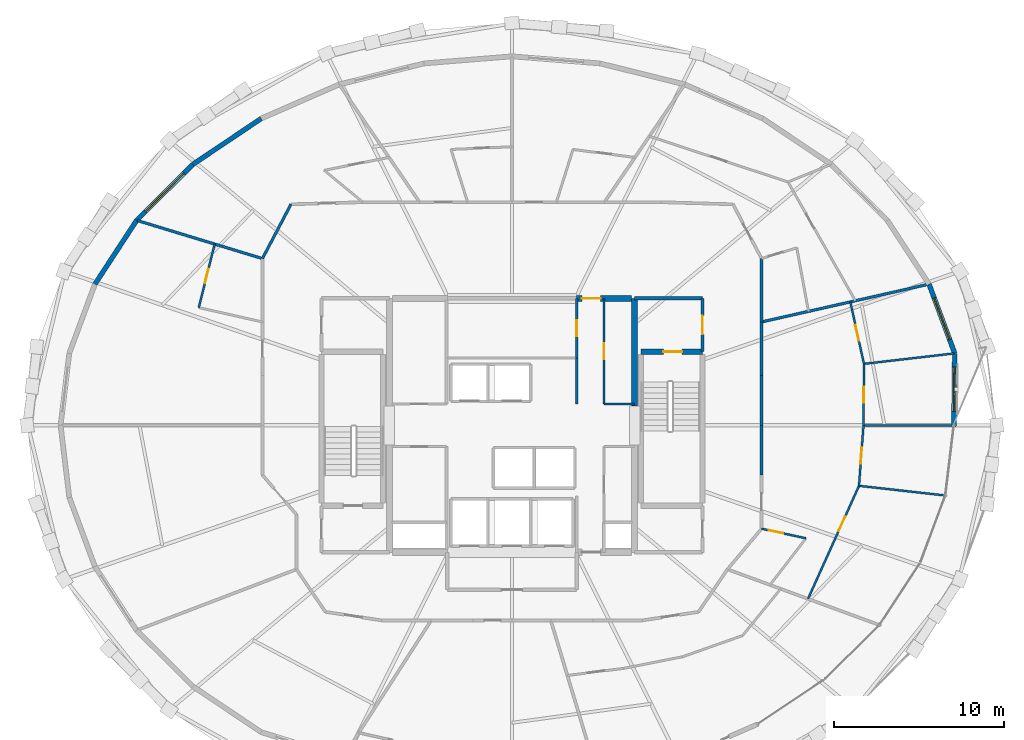
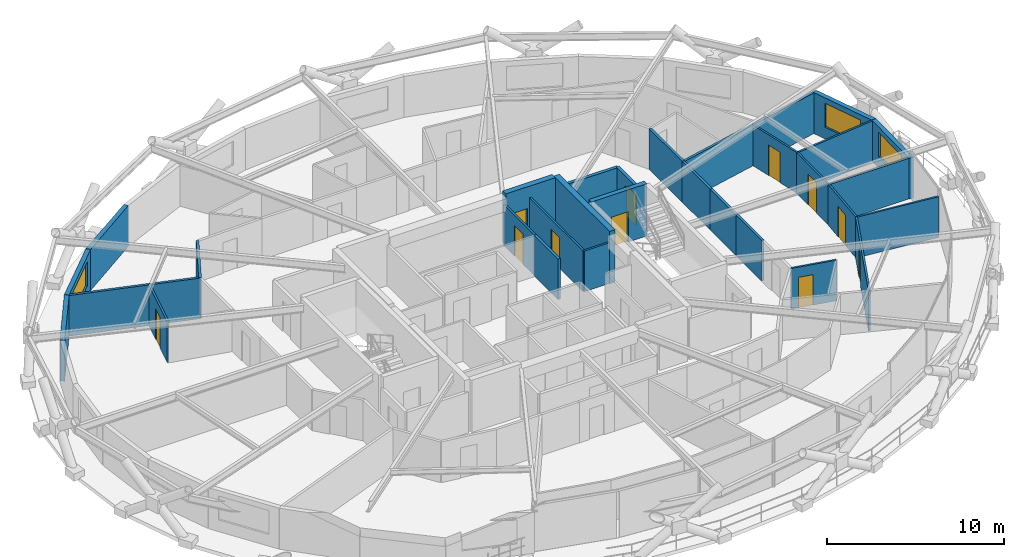
# One storey, part 16 of 21: 30 walls, 11 doors, 3 windows, 14 openings.
"""IFC4 building model written with IfcOpenShell, lengths in metres."""

from ifc_helpers import new_model, si_unit, direction, frame, frame_2d, origin, place, context, subcontext, project, spatial, rectangle, extrude, material, layer, layer_set, type_object, element, fill, save


model = new_model("IFC4")

# Units and contexts
model_context = context("Model", 3, precision=1e-05, world=origin(), true_north=direction((0.0, 1.0)))
body_context = subcontext(model_context, "Body", "Model", "MODEL_VIEW")
ifc_project = project(units=[si_unit("LENGTHUNIT", "METRE"), si_unit("AREAUNIT", "SQUARE_METRE"), si_unit("VOLUMEUNIT", "CUBIC_METRE"), si_unit("PLANEANGLEUNIT", "RADIAN"), si_unit("MASSUNIT", "GRAM", prefix="KILO")], contexts=[model_context])

# Site, building, storey
site_placement = place(None, origin())
site = spatial("IfcSite", under=ifc_project, at=site_placement, CompositionType="ELEMENT")
building_placement = place(site_placement, origin())
building = spatial("IfcBuilding", under=site, at=building_placement, Name="Veldorina Hangang Commons", CompositionType="ELEMENT")
storey_placement = place(building_placement, frame((0.0, 0.0, 138.800048828125)))
storey = spatial("IfcBuildingStorey", under=building, at=storey_placement, Name="L35", CompositionType="ELEMENT", Elevation=138.800048828125)

# Wall
ifc_material_1 = material(Name="Concrete C60/75", Category="concrete")
ifc_layer_1 = layer(ifc_material_1, 0.360107421875)
ifc_layer_set_1 = layer_set([ifc_layer_1], Name="Concrete C60/75")
wall_type_1 = type_object("IfcWallType", Name="CW-RC360-C60", PredefinedType="SHEAR", material=ifc_layer_set_1)
wall_1_placement = place(storey_placement, frame((39.199951171875, 25.14990234375, 0.0), z_axis=(0.0, 0.0, 1.0), x_axis=(0.0, 1.0, 0.0)))
element("IfcWall", 1, at=wall_1_placement, inside=storey, type_object=wall_type_1, Name="L35 E north core shear wall", PredefinedType="SHEAR", context=body_context, shape_type="SweptSolid", body=[
    extrude(rectangle(XDim=6.300048828125, YDim=0.360107421875, at=frame_2d((3.14990234375, 0.0))), origin(), (0.0, 0.0, 1.0), 3.599853515625),
])

# Wall, opening, door
wall_2_placement = place(storey_placement, frame((35.800048828125, 31.449951171875, 0.0), z_axis=(0.0, 0.0, 1.0), x_axis=(1.0, 0.0, 0.0)))
wall_2 = element("IfcWall", 2, at=wall_2_placement, inside=storey, type_object=wall_type_1, Name="L35 north-east core shear wall", PredefinedType="SHEAR", context=body_context, shape_type="SweptSolid", body=[
    extrude(rectangle(XDim=3.219970703125, YDim=0.360107421875, at=frame_2d((1.60986328125, 0.0))), origin(), (0.0, 0.0, 1.0), 3.599853515625),
])
opening_1_placement = place(wall_2_placement, frame((0.300048828125, 0.0, 0.0)))
opening_1 = element("IfcOpeningElement", 3, at=opening_1_placement, cuts=wall_2, Name="Opening D-08", PredefinedType="OPENING", context=body_context, shape_type="SweptSolid", body=[
    extrude(rectangle(XDim=1.10009765625, YDim=2.10009765625, at=frame_2d((0.550048828125, 1.050048828125))), frame((0.0, 0.18994140625, 0.0), z_axis=(0.0, -1.0, 0.0), x_axis=(1.0, 0.0, 0.0)), (0.0, 0.0, 1.0), 0.380126953125),
])
ifc_material_2 = material(Name="Steel Fire-Rated Smoke Seal", Category="steel")
door_type_1 = type_object("IfcDoorType", Name="DR-FIRE-1100", OperationType="SINGLE_SWING_RIGHT", PredefinedType="DOOR", material=ifc_material_2)
door_1_placement = place(opening_1_placement, origin())
door_1 = element("IfcDoor", 4, at=door_1_placement, inside=storey, type_object=door_type_1, Name="L35 central lift lobby north corridor door", OperationType="SINGLE_SWING_LEFT", OverallHeight=2.10009765625, OverallWidth=1.10009765625, PredefinedType="DOOR", context=body_context, shape_type="SweptSolid", body=[
    extrude(rectangle(XDim=1.10009765625, YDim=2.10009765625, at=frame_2d((0.550048828125, 1.050048828125))), frame((0.0, 0.02490234375, 0.0), z_axis=(0.0, -1.0, 0.0), x_axis=(1.0, 0.0, 0.0)), (0.0, 0.0, 1.0), 0.050048828125),
])
fill(opening_1, door_1)

# Wall, opening, window
ifc_material_3 = material(Name="Stone Roman Travertine", Category="masonry")
ifc_layer_2 = layer(ifc_material_3, 0.280029296875)
ifc_layer_set_2 = layer_set([ifc_layer_2], Name="Stone Roman Travertine")
wall_type_2 = type_object("IfcWallType", Name="EW-TRAV-280", PredefinedType="STANDARD", material=ifc_layer_set_2)
wall_3_placement = place(storey_placement, frame((57.937255859375, 23.907958984375, 0.0), z_axis=(0.0, 0.0, 1.0), x_axis=(0.011986021203, 0.999928165068, 0.0)))
wall_3 = element("IfcWall", 5, at=wall_3_placement, inside=storey, type_object=wall_type_2, Name="L35 travertine facade wall 00", PredefinedType="STANDARD", context=body_context, shape_type="SweptSolid", body=[
    extrude(rectangle(XDim=4.318115234375, YDim=0.280029296875, at=frame_2d((2.1591796875, 0.0))), origin(), (0.0, 0.0, 1.0), 2.820068359375),
])
opening_2_placement = place(wall_3_placement, frame((0.905029296875, 0.0, 0.800048828125)))
opening_2 = element("IfcOpeningElement", 6, at=opening_2_placement, cuts=wall_3, Name="Opening W-02", PredefinedType="OPENING", context=body_context, shape_type="SweptSolid", body=[
    extrude(rectangle(XDim=2.60009765625, YDim=1.64990234375, at=frame_2d((1.300048828125, 0.824951171875))), frame((0.0, 0.14990234375, 0.0), z_axis=(0.0, -1.0, 0.0), x_axis=(1.0, 0.0, 0.0)), (0.0, 0.0, 1.0), 0.300048828125),
])
ifc_material_4 = material(Name="Glass Low-E Triple IGU", Category="glass")
window_type_1 = type_object("IfcWindowType", Name="WIN-TWR-2600", PartitioningType="SINGLE_PANEL", PredefinedType="WINDOW", material=ifc_material_4)
window_1_placement = place(opening_2_placement, origin())
window_1 = element("IfcWindow", 7, at=window_1_placement, inside=storey, type_object=window_type_1, Name="L35 facade window 00", OverallHeight=1.64990234375, OverallWidth=2.60009765625, PartitioningType="SINGLE_PANEL", PredefinedType="WINDOW", context=body_context, shape_type="SweptSolid", body=[
    extrude(rectangle(XDim=2.60009765625, YDim=1.64990234375, at=frame_2d((1.300048828125, 0.824951171875))), frame((0.0, 0.030029296875, 0.0), z_axis=(0.0, -1.0, 0.0), x_axis=(1.0, 0.0, 0.0)), (0.0, 0.0, 1.0), 0.06005859375),
])
fill(opening_2, window_1)

wall_4_placement = place(storey_placement, frame((57.989013671875, 28.225830078125, 0.0), z_axis=(0.0, 0.0, 1.0), x_axis=(-0.347886684165, 0.937536588609, 0.0)))
wall_4 = element("IfcWall", 8, at=wall_4_placement, inside=storey, type_object=wall_type_2, Name="L35 travertine facade wall 01", PredefinedType="STANDARD", context=body_context, shape_type="SweptSolid", body=[
    extrude(rectangle(XDim=4.334228515625, YDim=0.280029296875, at=frame_2d((2.1669921875, 0.0))), origin(), (0.0, 0.0, 1.0), 2.820068359375),
])
opening_3_placement = place(wall_4_placement, frame((0.8671875, 0.0, 0.800048828125)))
opening_3 = element("IfcOpeningElement", 9, at=opening_3_placement, cuts=wall_4, Name="Opening W-02", PredefinedType="OPENING", context=body_context, shape_type="SweptSolid", body=[
    extrude(rectangle(XDim=2.60009765625, YDim=1.64990234375, at=frame_2d((1.300048828125, 0.824951171875))), frame((0.0, 0.14990234375, 0.0), z_axis=(0.0, -1.0, 0.0), x_axis=(1.0, 0.0, 0.0)), (0.0, 0.0, 1.0), 0.300048828125),
])
window_2_placement = place(opening_3_placement, origin())
window_2 = element("IfcWindow", 10, at=window_2_placement, inside=storey, type_object=window_type_1, Name="L35 facade window 01", OverallHeight=1.64990234375, OverallWidth=2.60009765625, PartitioningType="SINGLE_PANEL", PredefinedType="WINDOW", context=body_context, shape_type="SweptSolid", body=[
    extrude(rectangle(XDim=2.60009765625, YDim=1.64990234375, at=frame_2d((1.300048828125, 0.824951171875))), frame((0.0, 0.030029296875, 0.0), z_axis=(0.0, -1.0, 0.0), x_axis=(1.0, 0.0, 0.0)), (0.0, 0.0, 1.0), 0.06005859375),
])
fill(opening_3, window_2)

# Wall
wall_5_placement = place(storey_placement, frame((17.2783203125, 42.01025390625, 0.0), z_axis=(0.0, 0.0, 1.0), x_axis=(-0.830431041812, -0.557121427334, 0.0)))
element("IfcWall", 11, at=wall_5_placement, inside=storey, type_object=wall_type_2, Name="L35 travertine facade wall 11", PredefinedType="STANDARD", context=body_context, shape_type="SweptSolid", body=[
    extrude(rectangle(XDim=4.835205078125, YDim=0.280029296875, at=frame_2d((2.41748046875, 0.0))), origin(), (0.0, 0.0, 1.0), 2.820068359375),
])

# Wall, opening, window
wall_6_placement = place(storey_placement, frame((13.262939453125, 39.31640625, 0.0), z_axis=(0.0, 0.0, 1.0), x_axis=(-0.708522616078, -0.705688105686, 0.0)))
wall_6 = element("IfcWall", 12, at=wall_6_placement, inside=storey, type_object=wall_type_2, Name="L35 travertine facade wall 12", PredefinedType="STANDARD", context=body_context, shape_type="SweptSolid", body=[
    extrude(rectangle(XDim=4.651123046875, YDim=0.280029296875, at=frame_2d((2.32568359375, 0.0))), origin(), (0.0, 0.0, 1.0), 2.820068359375),
])
opening_4_placement = place(wall_6_placement, frame((0.7255859375, 0.0, 0.800048828125)))
opening_4 = element("IfcOpeningElement", 13, at=opening_4_placement, cuts=wall_6, Name="Opening W-01", PredefinedType="OPENING", context=body_context, shape_type="SweptSolid", body=[
    extrude(rectangle(XDim=3.199951171875, YDim=1.64990234375, at=frame_2d((1.60009765625, 0.824951171875))), frame((0.0, 0.14990234375, 0.0), z_axis=(0.0, -1.0, 0.0), x_axis=(1.0, 0.0, 0.0)), (0.0, 0.0, 1.0), 0.300048828125),
])
window_type_2 = type_object("IfcWindowType", Name="WIN-TWR-3200", PartitioningType="SINGLE_PANEL", PredefinedType="WINDOW", material=ifc_material_4)
window_3_placement = place(opening_4_placement, origin())
window_3 = element("IfcWindow", 14, at=window_3_placement, inside=storey, type_object=window_type_2, Name="L35 facade window 12", OverallHeight=1.64990234375, OverallWidth=3.199951171875, PartitioningType="SINGLE_PANEL", PredefinedType="WINDOW", context=body_context, shape_type="SweptSolid", body=[
    extrude(rectangle(XDim=3.199951171875, YDim=1.64990234375, at=frame_2d((1.60009765625, 0.824951171875))), frame((0.0, 0.030029296875, 0.0), z_axis=(0.0, -1.0, 0.0), x_axis=(1.0, 0.0, 0.0)), (0.0, 0.0, 1.0), 0.06005859375),
])
fill(opening_4, window_3)

# Wall
wall_7_placement = place(storey_placement, frame((9.967529296875, 36.0341796875, 0.0), z_axis=(0.0, 0.0, 1.0), x_axis=(-0.54727435463, -0.836953272749, 0.0)))
element("IfcWall", 15, at=wall_7_placement, inside=storey, type_object=wall_type_2, Name="L35 travertine facade wall 13", PredefinedType="STANDARD", context=body_context, shape_type="SweptSolid", body=[
    extrude(rectangle(XDim=4.474365234375, YDim=0.280029296875, at=frame_2d((2.2373046875, 0.0))), origin(), (0.0, 0.0, 1.0), 2.820068359375),
])

# Wall, opening, door
ifc_material_5 = material(Name="Concrete C50/60", Category="concrete")
ifc_layer_3 = layer(ifc_material_5, 0.300048828125)
ifc_layer_set_3 = layer_set([ifc_layer_3], Name="Concrete C50/60")
wall_type_3 = type_object("IfcWallType", Name="SW-STAIR-300", PredefinedType="SHEAR", material=ifc_layer_set_3)
wall_8_placement = place(storey_placement, frame((39.580078125, 28.320068359375, 0.0), z_axis=(0.0, 0.0, 1.0), x_axis=(1.0, 0.0, 0.0)))
wall_8 = element("IfcWall", 16, at=wall_8_placement, inside=storey, type_object=wall_type_3, Name="L35 ST2 north stair shear wall", PredefinedType="SHEAR", context=body_context, shape_type="SweptSolid", body=[
    extrude(rectangle(XDim=3.599853515625, YDim=0.300048828125, at=frame_2d((1.7998046875, 0.0))), origin(), (0.0, 0.0, 1.0), 3.599853515625),
])
opening_5_placement = place(wall_8_placement, frame((1.300048828125, 0.0, 0.0)))
opening_5 = element("IfcOpeningElement", 17, at=opening_5_placement, cuts=wall_8, Name="Opening D-08", PredefinedType="OPENING", context=body_context, shape_type="SweptSolid", body=[
    extrude(rectangle(XDim=1.10009765625, YDim=2.10009765625, at=frame_2d((0.550048828125, 1.050048828125))), frame((0.0, 0.16015625, 0.0), z_axis=(0.0, -1.0, 0.0), x_axis=(1.0, 0.0, 0.0)), (0.0, 0.0, 1.0), 0.320068359375),
])
door_2_placement = place(opening_5_placement, origin())
door_2 = element("IfcDoor", 18, at=door_2_placement, inside=storey, type_object=door_type_1, Name="L35 Special Escape Stair ST-2 door", OperationType="SINGLE_SWING_RIGHT", OverallHeight=2.10009765625, OverallWidth=1.10009765625, PredefinedType="DOOR", context=body_context, shape_type="SweptSolid", body=[
    extrude(rectangle(XDim=1.10009765625, YDim=2.10009765625, at=frame_2d((0.550048828125, 1.050048828125))), frame((0.0, 0.02490234375, 0.0), z_axis=(0.0, -1.0, 0.0), x_axis=(1.0, 0.0, 0.0)), (0.0, 0.0, 1.0), 0.050048828125),
])
fill(opening_5, door_2)

# Walls
ifc_material_6 = material(Name="Gypsum Fire-Rated Twin Stud Wall", Category="gypsum")
ifc_layer_4 = layer(ifc_material_6, 0.159912109375)
ifc_layer_set_4 = layer_set([ifc_layer_4], Name="Gypsum Fire-Rated Twin Stud Wall")
wall_type_4 = type_object("IfcWallType", Name="WL-FIRE-160", PredefinedType="SOLIDWALL", material=ifc_layer_set_4)
wall_9_placement = place(storey_placement, frame((35.800048828125, 25.25, 0.0), z_axis=(0.0, 0.0, 1.0), x_axis=(0.0, 1.0, 0.0)))
element("IfcWall", 19, at=wall_9_placement, inside=storey, type_object=wall_type_4, Name="L35 Lift passage NW lower wall 011", PredefinedType="SOLIDWALL", context=body_context, shape_type="SweptSolid", body=[
    extrude(rectangle(XDim=2.699951171875, YDim=0.159912109375, at=frame_2d((1.35009765625, 0.0))), origin(), (0.0, 0.0, 1.0), 2.800048828125),
])
wall_10_placement = place(storey_placement, frame((46.64990234375, 24.0, 0.0), z_axis=(0.0, 0.0, 1.0), x_axis=(0.0, 1.0, 0.0)))
element("IfcWall", 20, at=wall_10_placement, inside=storey, type_object=wall_type_4, Name="L35 U-corridor outer wall 00 044", PredefinedType="SOLIDWALL", context=body_context, shape_type="SweptSolid", body=[
    extrude(rectangle(XDim=2.9140625, YDim=0.159912109375, at=frame_2d((1.45703125, 0.0))), origin(), (0.0, 0.0, 1.0), 2.800048828125),
])
wall_11_placement = place(storey_placement, frame((46.64990234375, 26.9140625, 0.0), z_axis=(0.0, 0.0, 1.0), x_axis=(0.0, 1.0, 0.0)))
element("IfcWall", 21, at=wall_11_placement, inside=storey, type_object=wall_type_4, Name="L35 U-corridor outer wall 01 045", PredefinedType="SOLIDWALL", context=body_context, shape_type="SweptSolid", body=[
    extrude(rectangle(XDim=3.154052734375, YDim=0.159912109375, at=frame_2d((1.5771484375, 0.0))), origin(), (0.0, 0.0, 1.0), 2.800048828125),
])
wall_12_placement = place(storey_placement, frame((46.64990234375, 30.068115234375, 0.0), z_axis=(0.0, 0.0, 1.0), x_axis=(0.0, 1.0, 0.0)))
element("IfcWall", 22, at=wall_12_placement, inside=storey, type_object=wall_type_4, Name="L35 U-corridor outer wall 02 046", PredefinedType="SOLIDWALL", context=body_context, shape_type="SweptSolid", body=[
    extrude(rectangle(XDim=3.720703125, YDim=0.159912109375, at=frame_2d((1.8603515625, 0.0))), origin(), (0.0, 0.0, 1.0), 2.800048828125),
])
wall_13_placement = place(storey_placement, frame((19.02490234375, 36.97509765625, 0.0), z_axis=(0.0, 0.0, 1.0), x_axis=(-0.46527115782, -0.885168204185, 0.0)))
element("IfcWall", 23, at=wall_13_placement, inside=storey, type_object=wall_type_4, Name="L35 U-corridor outer wall 12 056", PredefinedType="SOLIDWALL", context=body_context, shape_type="SweptSolid", body=[
    extrude(rectangle(XDim=3.599609375, YDim=0.159912109375, at=frame_2d((1.7998046875, 0.0))), origin(), (0.0, 0.0, 1.0), 2.800048828125),
])
wall_14_placement = place(storey_placement, frame((46.64990234375, 21.0859375, 0.0), z_axis=(0.0, 0.0, 1.0), x_axis=(0.0, 1.0, 0.0)))
element("IfcWall", 24, at=wall_14_placement, inside=storey, type_object=wall_type_4, Name="L35 U-corridor outer wall 31 075", PredefinedType="SOLIDWALL", context=body_context, shape_type="SweptSolid", body=[
    extrude(rectangle(XDim=2.9140625, YDim=0.159912109375, at=frame_2d((1.45703125, 0.0))), origin(), (0.0, 0.0, 1.0), 2.800048828125),
])
wall_15_placement = place(storey_placement, frame((46.64990234375, 30.068115234375, 0.0), z_axis=(0.0, 0.0, 1.0), x_axis=(0.975414000127, 0.220380417359, 0.0)))
element("IfcWall", 25, at=wall_15_placement, inside=storey, type_object=wall_type_4, Name="L35 Unit party wall 02 091", PredefinedType="SOLIDWALL", context=body_context, shape_type="SweptSolid", body=[
    extrude(rectangle(XDim=10.029052734375, YDim=0.159912109375, at=frame_2d((5.0146484375, 0.0))), origin(), (0.0, 0.0, 1.0), 2.800048828125),
])
wall_16_placement = place(storey_placement, frame((17.35009765625, 33.788818359375, 0.0), z_axis=(0.0, 0.0, 1.0), x_axis=(-0.956731712207, 0.290971529289, 0.0)))
element("IfcWall", 26, at=wall_16_placement, inside=storey, type_object=wall_type_4, Name="L35 Unit party wall 13 106", PredefinedType="SOLIDWALL", context=body_context, shape_type="SweptSolid", body=[
    extrude(rectangle(XDim=7.66650390625, YDim=0.159912109375, at=frame_2d((3.833251953125, 0.0))), origin(), (0.0, 0.0, 1.0), 2.800048828125),
])

# Wall, opening, door
ifc_material_7 = material(Name="Concrete Blockwork Fire Wall C30/37", Category="masonry")
ifc_layer_5 = layer(ifc_material_7, 0.199951171875)
ifc_layer_set_5 = layer_set([ifc_layer_5], Name="Concrete Blockwork Fire Wall C30/37")
wall_type_5 = type_object("IfcWallType", Name="WL-FIRE-200", PredefinedType="SOLIDWALL", material=ifc_layer_set_5)
wall_17_placement = place(storey_placement, frame((43.179931640625, 28.320068359375, 0.0), z_axis=(0.0, 0.0, 1.0), x_axis=(0.0, 1.0, 0.0)))
wall_17 = element("IfcWall", 27, at=wall_17_placement, inside=storey, type_object=wall_type_5, Name="L35 East vestibule outer wall 003", PredefinedType="SOLIDWALL", context=body_context, shape_type="SweptSolid", body=[
    extrude(rectangle(XDim=3.1298828125, YDim=0.199951171875, at=frame_2d((1.56494140625, 0.0))), origin(), (0.0, 0.0, 1.0), 2.800048828125),
])
opening_6_placement = place(wall_17_placement, frame((1.014892578125, 0.0, 0.0)))
opening_6 = element("IfcOpeningElement", 28, at=opening_6_placement, cuts=wall_17, Name="Opening D-08", PredefinedType="OPENING", context=body_context, shape_type="SweptSolid", body=[
    extrude(rectangle(XDim=1.10009765625, YDim=2.10009765625, at=frame_2d((0.550048828125, 1.050048828125))), frame((0.0, 0.10986328125, 0.0), z_axis=(0.0, -1.0, 0.0), x_axis=(1.0, 0.0, 0.0)), (0.0, 0.0, 1.0), 0.219970703125),
])
door_3_placement = place(opening_6_placement, origin())
door_3 = element("IfcDoor", 29, at=door_3_placement, inside=storey, type_object=door_type_1, Name="L35 East vestibule east door 002", OperationType="SINGLE_SWING_RIGHT", OverallHeight=2.10009765625, OverallWidth=1.10009765625, PredefinedType="DOOR", context=body_context, shape_type="SweptSolid", body=[
    extrude(rectangle(XDim=1.10009765625, YDim=2.10009765625, at=frame_2d((0.550048828125, 1.050048828125))), frame((0.0, 0.02490234375, 0.0), z_axis=(0.0, -1.0, 0.0), x_axis=(1.0, 0.0, 0.0)), (0.0, 0.0, 1.0), 0.050048828125),
])
fill(opening_6, door_3)

# Wall
wall_18_placement = place(storey_placement, frame((39.199951171875, 31.449951171875, 0.0), z_axis=(0.0, 0.0, 1.0), x_axis=(1.0, 0.0, 0.0)))
element("IfcWall", 30, at=wall_18_placement, inside=storey, type_object=wall_type_5, Name="L35 East vestibule north wall 004", PredefinedType="SOLIDWALL", context=body_context, shape_type="SweptSolid", body=[
    extrude(rectangle(XDim=3.97998046875, YDim=0.199951171875, at=frame_2d((1.989990234375, 0.0))), origin(), (0.0, 0.0, 1.0), 2.800048828125),
])

# Wall, opening, door
ifc_material_8 = material(Name="Gypsum Acoustic Stud Partition", Category="gypsum")
ifc_layer_6 = layer(ifc_material_8, 0.1201171875)
ifc_layer_set_6 = layer_set([ifc_layer_6], Name="Gypsum Acoustic Stud Partition")
wall_type_6 = type_object("IfcWallType", Name="WL-PART-120", PredefinedType="PARTITIONING", material=ifc_layer_set_6)
wall_19_placement = place(storey_placement, frame((35.800048828125, 27.949951171875, 0.0), z_axis=(0.0, 0.0, 1.0), x_axis=(0.0, 1.0, 0.0)))
wall_19 = element("IfcWall", 31, at=wall_19_placement, inside=storey, type_object=wall_type_6, Name="L35 Merged north east wall 033", PredefinedType="PARTITIONING", context=body_context, shape_type="SweptSolid", body=[
    extrude(rectangle(XDim=3.5, YDim=0.1201171875, at=frame_2d((1.75, 0.0))), origin(), (0.0, 0.0, 1.0), 2.800048828125),
])
opening_7_placement = place(wall_19_placement, frame((1.27490234375, 0.0, 0.0)))
opening_7 = element("IfcOpeningElement", 32, at=opening_7_placement, cuts=wall_19, Name="Opening D-02", PredefinedType="OPENING", context=body_context, shape_type="SweptSolid", body=[
    extrude(rectangle(XDim=0.949951171875, YDim=2.10009765625, at=frame_2d((0.47509765625, 1.050048828125))), frame((0.0, 0.070068359375, 0.0), z_axis=(0.0, -1.0, 0.0), x_axis=(1.0, 0.0, 0.0)), (0.0, 0.0, 1.0), 0.14013671875),
])
ifc_material_9 = material(Name="Timber Solid Core Acoustic", Category="wood")
door_type_2 = type_object("IfcDoorType", Name="DR-INT-950", OperationType="SINGLE_SWING_LEFT", PredefinedType="DOOR", material=ifc_material_9)
door_4_placement = place(opening_7_placement, origin())
door_4 = element("IfcDoor", 33, at=door_4_placement, inside=storey, type_object=door_type_2, Name="L35 Merged north room lobby door 011", OperationType="SINGLE_SWING_LEFT", OverallHeight=2.10009765625, OverallWidth=0.949951171875, PredefinedType="DOOR", context=body_context, shape_type="SweptSolid", body=[
    extrude(rectangle(XDim=0.949951171875, YDim=2.10009765625, at=frame_2d((0.47509765625, 1.050048828125))), frame((0.0, 0.02490234375, 0.0), z_axis=(0.0, -1.0, 0.0), x_axis=(1.0, 0.0, 0.0)), (0.0, 0.0, 1.0), 0.050048828125),
])
fill(opening_7, door_4)

wall_20_placement = place(storey_placement, frame((37.39990234375, 25.25, 0.0), z_axis=(0.0, 0.0, 1.0), x_axis=(0.0, 1.0, 0.0)))
wall_20 = element("IfcWall", 34, at=wall_20_placement, inside=storey, type_object=wall_type_6, Name="L35 NE strip lobby wall 040", PredefinedType="PARTITIONING", context=body_context, shape_type="SweptSolid", body=[
    extrude(rectangle(XDim=6.199951171875, YDim=0.1201171875, at=frame_2d((3.10009765625, 0.0))), origin(), (0.0, 0.0, 1.0), 2.800048828125),
])
opening_8_placement = place(wall_20_placement, frame((2.625, 0.0, 0.0)))
opening_8 = element("IfcOpeningElement", 35, at=opening_8_placement, cuts=wall_20, Name="Opening D-02", PredefinedType="OPENING", context=body_context, shape_type="SweptSolid", body=[
    extrude(rectangle(XDim=0.949951171875, YDim=2.10009765625, at=frame_2d((0.47509765625, 1.050048828125))), frame((0.0, 0.070068359375, 0.0), z_axis=(0.0, -1.0, 0.0), x_axis=(1.0, 0.0, 0.0)), (0.0, 0.0, 1.0), 0.14013671875),
])
door_5_placement = place(opening_8_placement, origin())
door_5 = element("IfcDoor", 36, at=door_5_placement, inside=storey, type_object=door_type_2, Name="L35 Comms room door 014", OperationType="SINGLE_SWING_RIGHT", OverallHeight=2.10009765625, OverallWidth=0.949951171875, PredefinedType="DOOR", context=body_context, shape_type="SweptSolid", body=[
    extrude(rectangle(XDim=0.949951171875, YDim=2.10009765625, at=frame_2d((0.47509765625, 1.050048828125))), frame((0.0, 0.02490234375, 0.0), z_axis=(0.0, -1.0, 0.0), x_axis=(1.0, 0.0, 0.0)), (0.0, 0.0, 1.0), 0.050048828125),
])
fill(opening_8, door_5)

# Wall
wall_21_placement = place(storey_placement, frame((37.39990234375, 25.25, 0.0), z_axis=(0.0, 0.0, 1.0), x_axis=(1.0, 0.0, 0.0)))
element("IfcWall", 37, at=wall_21_placement, inside=storey, type_object=wall_type_6, Name="L35 NE strip south return wall 041", PredefinedType="PARTITIONING", context=body_context, shape_type="SweptSolid", body=[
    extrude(rectangle(XDim=1.800048828125, YDim=0.1201171875, at=frame_2d((0.89990234375, 0.0))), origin(), (0.0, 0.0, 1.0), 2.800048828125),
])

# Wall, opening, door
wall_22_placement = place(storey_placement, frame((46.64990234375, 17.931884765625, 0.0), z_axis=(0.0, 0.0, 1.0), x_axis=(0.977558011397, -0.210666405377, 0.0)))
wall_22 = element("IfcWall", 38, at=wall_22_placement, inside=storey, type_object=wall_type_6, Name="L35 Cluster 2 bath side wall 083", PredefinedType="PARTITIONING", context=body_context, shape_type="SweptSolid", body=[
    extrude(rectangle(XDim=2.667724609375, YDim=0.1201171875, at=frame_2d((1.333984375, 0.0))), origin(), (0.0, 0.0, 1.0), 2.800048828125),
])
opening_9_placement = place(wall_22_placement, frame((0.43994140625, 0.0, 0.0)))
opening_9 = element("IfcOpeningElement", 39, at=opening_9_placement, cuts=wall_22, Name="Opening D-01", PredefinedType="OPENING", context=body_context, shape_type="SweptSolid", body=[
    extrude(rectangle(XDim=0.860107421875, YDim=2.10009765625, at=frame_2d((0.43017578125, 1.050048828125))), frame((0.0, 0.070068359375, 0.0), z_axis=(0.0, -1.0, 0.0), x_axis=(1.0, 0.0, 0.0)), (0.0, 0.0, 1.0), 0.14013671875),
])
ifc_material_10 = material(Name="Timber Moisture-Resistant Core", Category="wood")
door_type_3 = type_object("IfcDoorType", Name="DR-WET-860", OperationType="SINGLE_SWING_LEFT", PredefinedType="DOOR", material=ifc_material_10)
door_6_placement = place(opening_9_placement, origin())
door_6 = element("IfcDoor", 40, at=door_6_placement, inside=storey, type_object=door_type_3, Name="L35 Cluster 2 shared bathroom door 018", OperationType="SINGLE_SWING_RIGHT", OverallHeight=2.10009765625, OverallWidth=0.860107421875, PredefinedType="DOOR", context=body_context, shape_type="SweptSolid", body=[
    extrude(rectangle(XDim=0.860107421875, YDim=2.10009765625, at=frame_2d((0.43017578125, 1.050048828125))), frame((0.0, 0.02490234375, 0.0), z_axis=(0.0, -1.0, 0.0), x_axis=(1.0, 0.0, 0.0)), (0.0, 0.0, 1.0), 0.050048828125),
])
fill(opening_9, door_6)

wall_23_placement = place(storey_placement, frame((49.3759765625, 13.814208984375, 0.0), z_axis=(0.0, 0.0, 1.0), x_axis=(0.411193017438, 0.911548299549, 0.0)))
wall_23 = element("IfcWall", 41, at=wall_23_placement, inside=storey, type_object=wall_type_6, Name="L35 Cluster 2 bed 1 front wall 084", PredefinedType="PARTITIONING", context=body_context, shape_type="SweptSolid", body=[
    extrude(rectangle(XDim=7.278076171875, YDim=0.1201171875, at=frame_2d((3.63916015625, 0.0))), origin(), (0.0, 0.0, 1.0), 2.800048828125),
])
opening_10_placement = place(wall_23_placement, frame((4.36279296875, 0.0, 0.0)))
opening_10 = element("IfcOpeningElement", 42, at=opening_10_placement, cuts=wall_23, Name="Opening D-02", PredefinedType="OPENING", context=body_context, shape_type="SweptSolid", body=[
    extrude(rectangle(XDim=0.949951171875, YDim=2.10009765625, at=frame_2d((0.47509765625, 1.050048828125))), frame((0.0, 0.070068359375, 0.0), z_axis=(0.0, -1.0, 0.0), x_axis=(1.0, 0.0, 0.0)), (0.0, 0.0, 1.0), 0.14013671875),
])
door_7_placement = place(opening_10_placement, origin())
door_7 = element("IfcDoor", 43, at=door_7_placement, inside=storey, type_object=door_type_2, Name="L35 Cluster 2 bed 1 door 020", OperationType="SINGLE_SWING_RIGHT", OverallHeight=2.10009765625, OverallWidth=0.949951171875, PredefinedType="DOOR", context=body_context, shape_type="SweptSolid", body=[
    extrude(rectangle(XDim=0.949951171875, YDim=2.10009765625, at=frame_2d((0.47509765625, 1.050048828125))), frame((0.0, 0.02490234375, 0.0), z_axis=(0.0, -1.0, 0.0), x_axis=(1.0, 0.0, 0.0)), (0.0, 0.0, 1.0), 0.050048828125),
])
fill(opening_10, door_7)

wall_24_placement = place(storey_placement, frame((52.36865234375, 20.448486328125, 0.0), z_axis=(0.0, 0.0, 1.0), x_axis=(0.074174700908, 0.997245262583, 0.0)))
wall_24 = element("IfcWall", 44, at=wall_24_placement, inside=storey, type_object=wall_type_6, Name="L35 Cluster 2 bed 2 front wall 085", PredefinedType="PARTITIONING", context=body_context, shape_type="SweptSolid", body=[
    extrude(rectangle(XDim=3.561279296875, YDim=0.1201171875, at=frame_2d((1.78076171875, 0.0))), origin(), (0.0, 0.0, 1.0), 2.800048828125),
])
opening_11_placement = place(wall_24_placement, frame((1.3056640625, 0.0, 0.0)))
opening_11 = element("IfcOpeningElement", 45, at=opening_11_placement, cuts=wall_24, Name="Opening D-02", PredefinedType="OPENING", context=body_context, shape_type="SweptSolid", body=[
    extrude(rectangle(XDim=0.949951171875, YDim=2.10009765625, at=frame_2d((0.47509765625, 1.050048828125))), frame((0.0, 0.070068359375, 0.0), z_axis=(0.0, -1.0, 0.0), x_axis=(1.0, 0.0, 0.0)), (0.0, 0.0, 1.0), 0.14013671875),
])
door_8_placement = place(opening_11_placement, origin())
door_8 = element("IfcDoor", 46, at=door_8_placement, inside=storey, type_object=door_type_2, Name="L35 Cluster 2 bed 2 door 021", OperationType="SINGLE_SWING_LEFT", OverallHeight=2.10009765625, OverallWidth=0.949951171875, PredefinedType="DOOR", context=body_context, shape_type="SweptSolid", body=[
    extrude(rectangle(XDim=0.949951171875, YDim=2.10009765625, at=frame_2d((0.47509765625, 1.050048828125))), frame((0.0, 0.02490234375, 0.0), z_axis=(0.0, -1.0, 0.0), x_axis=(1.0, 0.0, 0.0)), (0.0, 0.0, 1.0), 0.050048828125),
])
fill(opening_11, door_8)

# Wall
wall_25_placement = place(storey_placement, frame((52.36865234375, 20.448486328125, 0.0), z_axis=(0.0, 0.0, 1.0), x_axis=(0.993848327546, -0.110749726115, 0.0)))
element("IfcWall", 47, at=wall_25_placement, inside=storey, type_object=wall_type_6, Name="L35 Cluster 2 bed divider 1 086", PredefinedType="PARTITIONING", context=body_context, shape_type="SweptSolid", body=[
    extrude(rectangle(XDim=5.052490234375, YDim=0.1201171875, at=frame_2d((2.5263671875, 0.0))), origin(), (0.0, 0.0, 1.0), 2.800048828125),
])

# Wall, opening, door
wall_26_placement = place(storey_placement, frame((52.6328125, 24.0, 0.0), z_axis=(0.0, 0.0, 1.0), x_axis=(0.007440270244, 0.999972320806, 0.0)))
wall_26 = element("IfcWall", 48, at=wall_26_placement, inside=storey, type_object=wall_type_6, Name="L35 Cluster 2 bed 3 front wall 087", PredefinedType="PARTITIONING", context=body_context, shape_type="SweptSolid", body=[
    extrude(rectangle(XDim=3.609375, YDim=0.1201171875, at=frame_2d((1.8046875, 0.0))), origin(), (0.0, 0.0, 1.0), 2.800048828125),
])
opening_12_placement = place(wall_26_placement, frame((1.32958984375, 0.0, 0.0)))
opening_12 = element("IfcOpeningElement", 49, at=opening_12_placement, cuts=wall_26, Name="Opening D-02", PredefinedType="OPENING", context=body_context, shape_type="SweptSolid", body=[
    extrude(rectangle(XDim=0.949951171875, YDim=2.10009765625, at=frame_2d((0.47509765625, 1.050048828125))), frame((0.0, 0.070068359375, 0.0), z_axis=(0.0, -1.0, 0.0), x_axis=(1.0, 0.0, 0.0)), (0.0, 0.0, 1.0), 0.14013671875),
])
door_9_placement = place(opening_12_placement, origin())
door_9 = element("IfcDoor", 50, at=door_9_placement, inside=storey, type_object=door_type_2, Name="L35 Cluster 2 bed 3 door 022", OperationType="SINGLE_SWING_RIGHT", OverallHeight=2.10009765625, OverallWidth=0.949951171875, PredefinedType="DOOR", context=body_context, shape_type="SweptSolid", body=[
    extrude(rectangle(XDim=0.949951171875, YDim=2.10009765625, at=frame_2d((0.47509765625, 1.050048828125))), frame((0.0, 0.02490234375, 0.0), z_axis=(0.0, -1.0, 0.0), x_axis=(1.0, 0.0, 0.0)), (0.0, 0.0, 1.0), 0.050048828125),
])
fill(opening_12, door_9)

# Wall
wall_27_placement = place(storey_placement, frame((52.6328125, 24.0, 0.0), z_axis=(0.0, 0.0, 1.0), x_axis=(1.0, 0.0, 0.0)))
element("IfcWall", 51, at=wall_27_placement, inside=storey, type_object=wall_type_6, Name="L35 Cluster 2 bed divider 2 088", PredefinedType="PARTITIONING", context=body_context, shape_type="SweptSolid", body=[
    extrude(rectangle(XDim=5.25537109375, YDim=0.1201171875, at=frame_2d((2.627685546875, 0.0))), origin(), (0.0, 0.0, 1.0), 2.800048828125),
])

# Wall, opening, door
wall_28_placement = place(storey_placement, frame((52.65966796875, 27.609375, 0.0), z_axis=(0.0, 0.0, 1.0), x_axis=(-0.214645343864, 0.976692058101, 0.0)))
wall_28 = element("IfcWall", 52, at=wall_28_placement, inside=storey, type_object=wall_type_6, Name="L35 Cluster 2 bed 4 front wall 089", PredefinedType="PARTITIONING", context=body_context, shape_type="SweptSolid", body=[
    extrude(rectangle(XDim=3.72265625, YDim=0.1201171875, at=frame_2d((1.861328125, 0.0))), origin(), (0.0, 0.0, 1.0), 2.800048828125),
])
opening_13_placement = place(wall_28_placement, frame((1.386474609375, 0.0, 0.0)))
opening_13 = element("IfcOpeningElement", 53, at=opening_13_placement, cuts=wall_28, Name="Opening D-02", PredefinedType="OPENING", context=body_context, shape_type="SweptSolid", body=[
    extrude(rectangle(XDim=0.949951171875, YDim=2.10009765625, at=frame_2d((0.47509765625, 1.050048828125))), frame((0.0, 0.070068359375, 0.0), z_axis=(0.0, -1.0, 0.0), x_axis=(1.0, 0.0, 0.0)), (0.0, 0.0, 1.0), 0.14013671875),
])
door_10_placement = place(opening_13_placement, origin())
door_10 = element("IfcDoor", 54, at=door_10_placement, inside=storey, type_object=door_type_2, Name="L35 Cluster 2 bed 4 door 023", OperationType="SINGLE_SWING_LEFT", OverallHeight=2.10009765625, OverallWidth=0.949951171875, PredefinedType="DOOR", context=body_context, shape_type="SweptSolid", body=[
    extrude(rectangle(XDim=0.949951171875, YDim=2.10009765625, at=frame_2d((0.47509765625, 1.050048828125))), frame((0.0, 0.02490234375, 0.0), z_axis=(0.0, -1.0, 0.0), x_axis=(1.0, 0.0, 0.0)), (0.0, 0.0, 1.0), 0.050048828125),
])
fill(opening_13, door_10)

# Wall
wall_29_placement = place(storey_placement, frame((52.65966796875, 27.609375, 0.0), z_axis=(0.0, 0.0, 1.0), x_axis=(0.993373885647, 0.1149274698, 0.0)))
element("IfcWall", 55, at=wall_29_placement, inside=storey, type_object=wall_type_6, Name="L35 Cluster 2 bed divider 3 090", PredefinedType="PARTITIONING", context=body_context, shape_type="SweptSolid", body=[
    extrude(rectangle(XDim=5.31494140625, YDim=0.1201171875, at=frame_2d((2.657470703125, 0.0))), origin(), (0.0, 0.0, 1.0), 2.800048828125),
])

# Wall, opening, door
wall_30_placement = place(storey_placement, frame((14.544677734375, 34.64208984375, 0.0), z_axis=(0.0, 0.0, 1.0), x_axis=(-0.242087316969, -0.970254467118, 0.0)))
wall_30 = element("IfcWall", 56, at=wall_30_placement, inside=storey, type_object=wall_type_6, Name="L35 Studio 7 bath front wall 107", PredefinedType="PARTITIONING", context=body_context, shape_type="SweptSolid", body=[
    extrude(rectangle(XDim=3.84423828125, YDim=0.1201171875, at=frame_2d((1.922119140625, 0.0))), origin(), (0.0, 0.0, 1.0), 2.800048828125),
])
opening_14_placement = place(wall_30_placement, frame((1.4921875, 0.0, 0.0)))
opening_14 = element("IfcOpeningElement", 57, at=opening_14_placement, cuts=wall_30, Name="Opening D-01", PredefinedType="OPENING", context=body_context, shape_type="SweptSolid", body=[
    extrude(rectangle(XDim=0.860107421875, YDim=2.10009765625, at=frame_2d((0.43017578125, 1.050048828125))), frame((0.0, 0.070068359375, 0.0), z_axis=(0.0, -1.0, 0.0), x_axis=(1.0, 0.0, 0.0)), (0.0, 0.0, 1.0), 0.14013671875),
])
door_11_placement = place(opening_14_placement, origin())
door_11 = element("IfcDoor", 58, at=door_11_placement, inside=storey, type_object=door_type_3, Name="L35 Studio 7 bathroom door 034", OperationType="SINGLE_SWING_RIGHT", OverallHeight=2.10009765625, OverallWidth=0.860107421875, PredefinedType="DOOR", context=body_context, shape_type="SweptSolid", body=[
    extrude(rectangle(XDim=0.860107421875, YDim=2.10009765625, at=frame_2d((0.43017578125, 1.050048828125))), frame((0.0, 0.02490234375, 0.0), z_axis=(0.0, -1.0, 0.0), x_axis=(1.0, 0.0, 0.0)), (0.0, 0.0, 1.0), 0.050048828125),
])
fill(opening_14, door_11)

save(model, "model.ifc")
